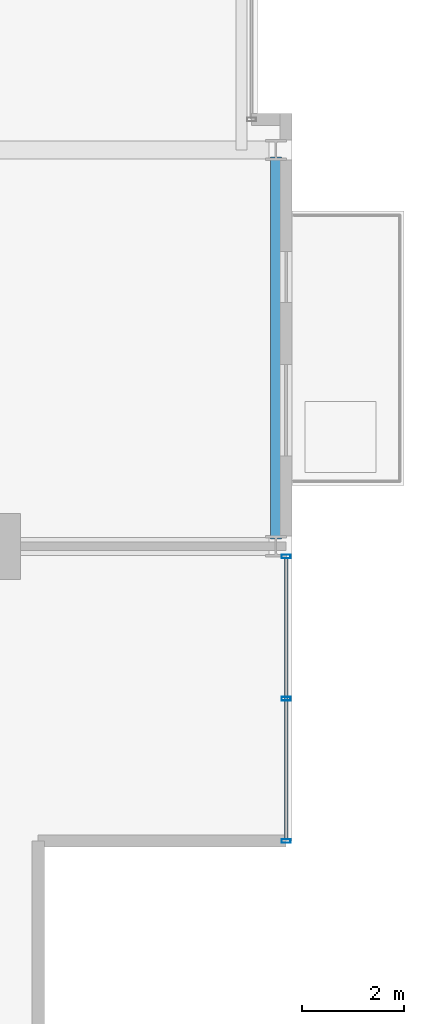
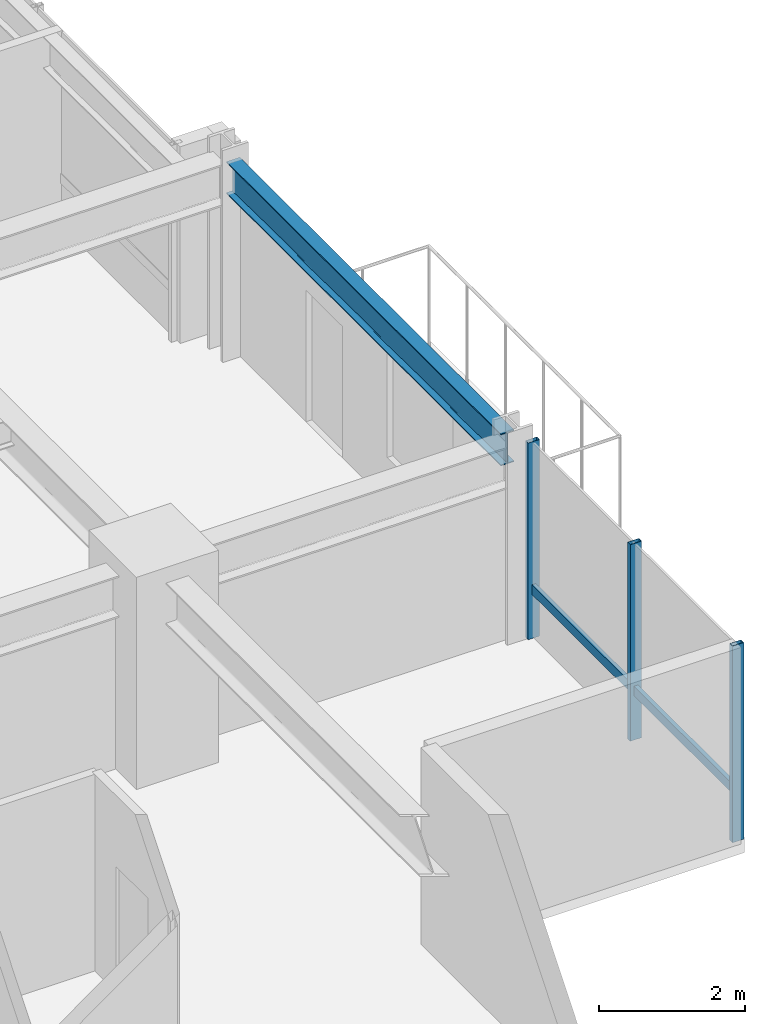
# One storey, part 13 of 33: 4 members, 1 beam, 1 element without a shape of its own.
"""IFC4 building model written with IfcOpenShell, lengths in metres."""

from ifc_helpers import new_model, si_unit, direction, frame, origin, origin_2d, place, context, subcontext, project, spatial, hollow_rectangle, i_section, extrude, material, layer, layer_set, material_profile, profile_set, type_object, element, aggregate, save


model = new_model("IFC4")

# Units and contexts
model_context = context("Model", 3, precision=1e-05, world=origin(), true_north=direction((0.0, 1.0)))
body_context = subcontext(model_context, "Body", "Model", "MODEL_VIEW")
ifc_project = project(units=[si_unit("LENGTHUNIT", "METRE"), si_unit("AREAUNIT", "SQUARE_METRE"), si_unit("VOLUMEUNIT", "CUBIC_METRE"), si_unit("PLANEANGLEUNIT", "RADIAN"), si_unit("MASSUNIT", "GRAM", prefix="KILO")], contexts=[model_context])

# Site, building, storey
site_placement = place(None, origin())
site = spatial("IfcSite", under=ifc_project, at=site_placement, CompositionType="ELEMENT")
building_placement = place(site_placement, origin())
building = spatial("IfcBuilding", under=site, at=building_placement, Name="Drelvath Grand Hotel", CompositionType="ELEMENT")
storey_placement = place(building_placement, frame((0.0, 0.0, 168.14990234375)))
storey = spatial("IfcBuildingStorey", under=building, at=storey_placement, Name="L43", CompositionType="ELEMENT", Elevation=168.14990234375)

# Curtain wall, members
ifc_material_1 = material(Name="Brushed Pale-Silver Anodised Aluminium Frame", Category="aluminium")
ifc_layer = layer(ifc_material_1, 0.199951171875)
ifc_layer_set = layer_set([ifc_layer], Name="Brushed Pale-Silver Anodised Aluminium Frame")
curtain_wall_type = type_object("IfcCurtainWallType", Name="Stick Curtain Wall CW-04 Brushed Silver Upper-Mid", PredefinedType="NOTDEFINED", material=ifc_layer_set)
curtain_wall_placement = place(storey_placement, origin())
curtain_wall = element("IfcCurtainWall", 1, at=curtain_wall_placement, inside=storey, type_object=curtain_wall_type, Name="L43 CW-04 Curtain Wall CW04-L43-ES1", PredefinedType="NOTDEFINED")
ifc_material_profile_1 = material_profile(ifc_material_1, hollow_rectangle(XDim=0.06494140625, YDim=0.159912109375, WallThickness=0.00390625, at=origin_2d()), Name="HSS160X65X4")
ifc_profile_set_1 = profile_set([ifc_material_profile_1], Name="Brushed Pale-Silver Anodised Aluminium Frame")
member_type_1 = type_object("IfcMemberType", Name="Curtain Wall Horizontal Transom CW-04 HSS160X65X4", PredefinedType="USERDEFINED", material=ifc_profile_set_1)
member_1_placement = place(storey_placement, frame((22.080078125, 10.559814453125, 0.822509765625), z_axis=(0.0, -1.0, 0.0), x_axis=(1.0, 0.0, 0.0)))
member_1 = element("IfcMember", 2, at=member_1_placement, type_object=member_type_1, Name="CW04-L43-ES1 Sill Transom", ObjectType="TRANSOM", PredefinedType="USERDEFINED", context=body_context, shape_type="SweptSolid", body=[
    extrude(hollow_rectangle(XDim=0.06494140625, YDim=0.159912109375, WallThickness=0.00390625, at=origin_2d()), origin(), (0.0, 0.0, 1.0), 5.519775390625),
])
ifc_material_profile_2 = material_profile(ifc_material_1, hollow_rectangle(XDim=0.074951171875, YDim=0.179931640625, WallThickness=0.0048828125, at=origin_2d()), Name="HSS180X75X5")
ifc_profile_set_2 = profile_set([ifc_material_profile_2], Name="Brushed Pale-Silver Anodised Aluminium Frame")
member_type_2 = type_object("IfcMemberType", Name="Curtain Wall Vertical Mullion CW-04 HSS180X75X5", PredefinedType="MULLION", material=ifc_profile_set_2)
member_2_placement = place(storey_placement, frame((22.080078125, 10.599853515625, 0.0), z_axis=(0.0, 0.0, 1.0), x_axis=(0.0, 1.0, 0.0)))
member_2 = element("IfcMember", 3, at=member_2_placement, type_object=member_type_2, Name="CW04-L43-ES1 Mullion 1", PredefinedType="MULLION", context=body_context, shape_type="SweptSolid", body=[
    extrude(hollow_rectangle(XDim=0.074951171875, YDim=0.179931640625, WallThickness=0.0048828125, at=origin_2d()), origin(), (0.0, 0.0, 1.0), 3.2900390625),
])
member_3_placement = place(storey_placement, frame((22.080078125, 7.7998046875, 0.0), z_axis=(0.0, 0.0, 1.0), x_axis=(0.0, 1.0, 0.0)))
member_3 = element("IfcMember", 4, at=member_3_placement, type_object=member_type_2, Name="CW04-L43-ES1 Mullion 2", PredefinedType="MULLION", context=body_context, shape_type="SweptSolid", body=[
    extrude(hollow_rectangle(XDim=0.074951171875, YDim=0.179931640625, WallThickness=0.0048828125, at=origin_2d()), origin(), (0.0, 0.0, 1.0), 3.2900390625),
])
member_4_placement = place(storey_placement, frame((22.080078125, 5.0, 0.0), z_axis=(0.0, 0.0, 1.0), x_axis=(0.0, 1.0, 0.0)))
member_4 = element("IfcMember", 5, at=member_4_placement, type_object=member_type_2, Name="CW04-L43-ES1 Mullion 3", PredefinedType="MULLION", context=body_context, shape_type="SweptSolid", body=[
    extrude(hollow_rectangle(XDim=0.074951171875, YDim=0.179931640625, WallThickness=0.0048828125, at=origin_2d()), origin(), (0.0, 0.0, 1.0), 3.2900390625),
])
aggregate(curtain_wall, [member_2, member_3, member_4, member_1])

# Beam
ifc_material_2 = material(Name="Steel ASTM A992 Gr 50", Category="steel")
ifc_material_profile_3 = material_profile(ifc_material_2, i_section(OverallWidth=0.210205078125, OverallDepth=0.53662109375, WebThickness=0.010986328125, FlangeThickness=0.017333984375, FilletRadius=0.01806640625, at=origin_2d()), Name="W21X68")
ifc_profile_set_3 = profile_set([ifc_material_profile_3], Name="Steel ASTM A992 Gr 50")
beam_type = type_object("IfcBeamType", Name="Perimeter Spandrel Beam W21X68", PredefinedType="SPANDREL", material=ifc_profile_set_3)
beam_placement = place(storey_placement, frame((21.8798828125, 10.93994140625, 3.021728515625), z_axis=(0.0, 1.0, 0.0), x_axis=(-1.0, 0.0, 0.0)))
element("IfcBeam", 6, at=beam_placement, inside=storey, type_object=beam_type, Name="L43 Spandrel East S", PredefinedType="SPANDREL", context=body_context, shape_type="SweptSolid", body=[
    extrude(i_section(OverallWidth=0.210205078125, OverallDepth=0.53662109375, WebThickness=0.010986328125, FlangeThickness=0.017333984375, FilletRadius=0.01806640625, at=origin_2d()), origin(), (0.0, 0.0, 1.0), 7.52001953125),
])

save(model, "model.ifc")
